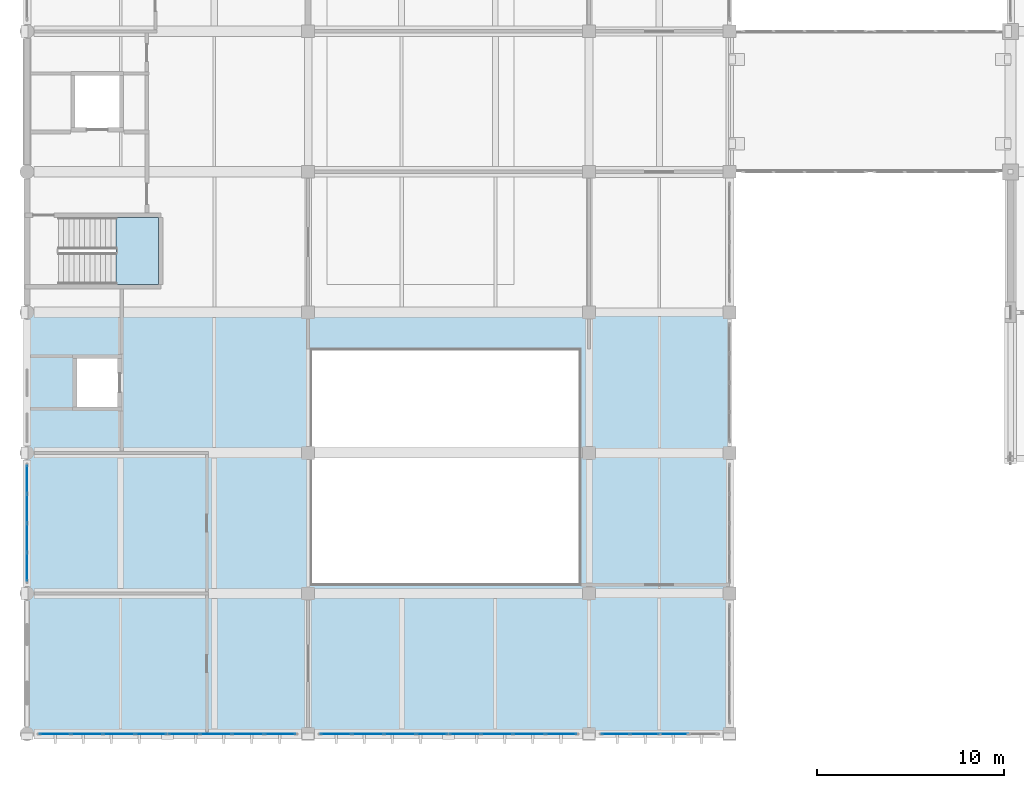
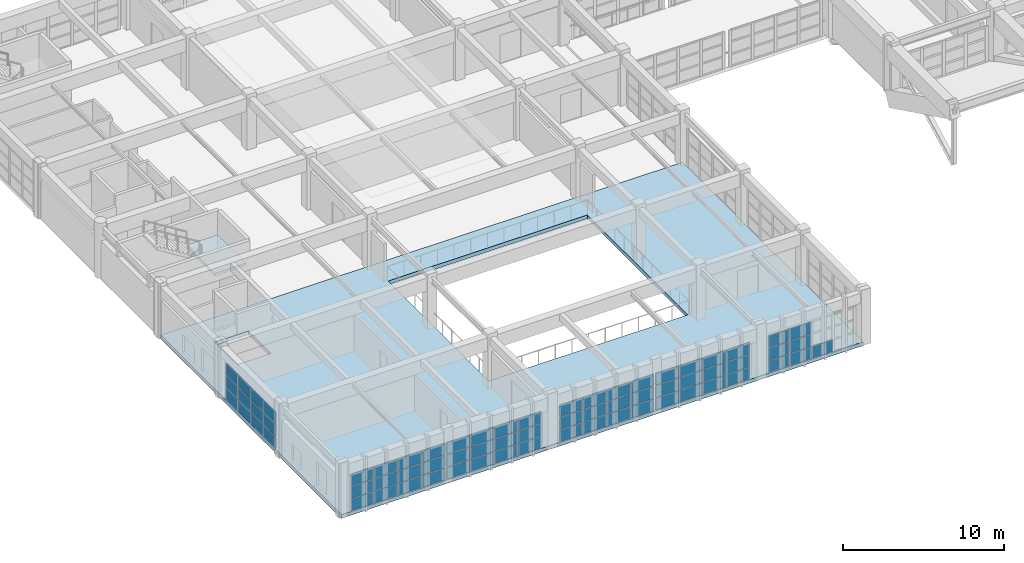
# One storey, part 81 of 132: 67 plates, 2 slabs, 7 elements without a shape of their own.
"""IFC4 building model written with IfcOpenShell, lengths in metres."""

from ifc_helpers import new_model, si_unit, direction, frame, origin, origin_2d, place, context, subcontext, project, spatial, polyline, rectangle, outline, extrude, material, layer, layer_set, type_object, element, aggregate, save


model = new_model("IFC4")

# Units and contexts
model_context = context("Model", 3, precision=1e-05, world=origin(), true_north=direction((0.0, 1.0)))
body_context = subcontext(model_context, "Body", "Model", "MODEL_VIEW")
ifc_project = project(units=[si_unit("LENGTHUNIT", "METRE"), si_unit("AREAUNIT", "SQUARE_METRE"), si_unit("VOLUMEUNIT", "CUBIC_METRE"), si_unit("PLANEANGLEUNIT", "RADIAN"), si_unit("MASSUNIT", "GRAM", prefix="KILO")], contexts=[model_context])

# Site, building, storey
site_placement = place(None, origin())
site = spatial("IfcSite", under=ifc_project, at=site_placement, CompositionType="ELEMENT")
building_placement = place(site_placement, origin())
building = spatial("IfcBuilding", under=site, at=building_placement, Name="Qasida Concert Hall", CompositionType="ELEMENT")
storey_placement = place(building_placement, frame((0.0, 0.0, 4.800048828125)))
storey = spatial("IfcBuildingStorey", under=building, at=storey_placement, Name="L01", CompositionType="ELEMENT", Elevation=4.800048828125)

# Curtain wall, plates
ifc_material_1 = material(Name="Architectural bronze-anodized aluminium and low-E glass", Category="aluminium")
curtain_wall_type = type_object("IfcCurtainWallType", Name="CW-07", PredefinedType="NOTDEFINED", material=ifc_material_1)
curtain_wall_1_placement = place(storey_placement, origin())
curtain_wall_1 = element("IfcCurtainWall", 1, at=curtain_wall_1_placement, inside=storey, type_object=curtain_wall_type, Name="L01 curtain wall CW-07 0081", PredefinedType="NOTDEFINED")
ifc_material_2 = material(Name="Solar-control low-E double glazing", Category="glass")
ifc_layer_1 = layer(ifc_material_2, 0.031982421875, Name="Solar-control low-E double glazing")
ifc_layer_set_1 = layer_set([ifc_layer_1], Name="Solar-control low-E double glazing")
plate_type = type_object("IfcPlateType", Name="PLT-CWP-2", PredefinedType="CURTAIN_PANEL", material=ifc_layer_set_1)
plate_1_placement = place(storey_placement, frame((1.4951171875, 0.0, 0.06005859375), z_axis=(0.0, 0.0, 1.0), x_axis=(1.0, 0.0, 0.0)))
plate_1 = element("IfcPlate", 2, at=plate_1_placement, type_object=plate_type, Name="CW-07 panel 1.1", PredefinedType="CURTAIN_PANEL", context=body_context, shape_type="SweptSolid", body=[
    extrude(rectangle(XDim=1.6201171875, YDim=0.031982421875, at=origin_2d()), origin(), (0.0, 0.0, 1.0), 0.873291015625),
])
plate_2_placement = place(storey_placement, frame((1.4951171875, 0.0, 0.993408203125), z_axis=(0.0, 0.0, 1.0), x_axis=(1.0, 0.0, 0.0)))
plate_2 = element("IfcPlate", 3, at=plate_2_placement, type_object=plate_type, Name="CW-07 panel 1.2", PredefinedType="CURTAIN_PANEL", context=body_context, shape_type="SweptSolid", body=[
    extrude(rectangle(XDim=1.6201171875, YDim=0.031982421875, at=origin_2d()), origin(), (0.0, 0.0, 1.0), 0.9033203125),
])
plate_3_placement = place(storey_placement, frame((1.4951171875, 0.0, 1.95654296875), z_axis=(0.0, 0.0, 1.0), x_axis=(1.0, 0.0, 0.0)))
plate_3 = element("IfcPlate", 4, at=plate_3_placement, type_object=plate_type, Name="CW-07 panel 1.3", PredefinedType="CURTAIN_PANEL", context=body_context, shape_type="SweptSolid", body=[
    extrude(rectangle(XDim=1.6201171875, YDim=0.031982421875, at=origin_2d()), origin(), (0.0, 0.0, 1.0), 0.873291015625),
])
plate_4_placement = place(storey_placement, frame((3.1962890625, 0.0, 0.06005859375), z_axis=(0.0, 0.0, 1.0), x_axis=(1.0, 0.0, 0.0)))
plate_4 = element("IfcPlate", 5, at=plate_4_placement, type_object=plate_type, Name="CW-07 panel 2.1", PredefinedType="CURTAIN_PANEL", context=body_context, shape_type="SweptSolid", body=[
    extrude(rectangle(XDim=1.652587890625, YDim=0.031982421875, at=origin_2d()), origin(), (0.0, 0.0, 1.0), 0.873291015625),
])
plate_5_placement = place(storey_placement, frame((3.1962890625, 0.0, 0.993408203125), z_axis=(0.0, 0.0, 1.0), x_axis=(1.0, 0.0, 0.0)))
plate_5 = element("IfcPlate", 6, at=plate_5_placement, type_object=plate_type, Name="CW-07 panel 2.2", PredefinedType="CURTAIN_PANEL", context=body_context, shape_type="SweptSolid", body=[
    extrude(rectangle(XDim=1.652587890625, YDim=0.031982421875, at=origin_2d()), origin(), (0.0, 0.0, 1.0), 0.9033203125),
])
plate_6_placement = place(storey_placement, frame((3.1962890625, 0.0, 1.95654296875), z_axis=(0.0, 0.0, 1.0), x_axis=(1.0, 0.0, 0.0)))
plate_6 = element("IfcPlate", 7, at=plate_6_placement, type_object=plate_type, Name="CW-07 panel 2.3", PredefinedType="CURTAIN_PANEL", context=body_context, shape_type="SweptSolid", body=[
    extrude(rectangle(XDim=1.652587890625, YDim=0.031982421875, at=origin_2d()), origin(), (0.0, 0.0, 1.0), 0.873291015625),
])
plate_7_placement = place(storey_placement, frame((4.913818359375, 0.0, 0.06005859375), z_axis=(0.0, 0.0, 1.0), x_axis=(1.0, 0.0, 0.0)))
plate_7 = element("IfcPlate", 8, at=plate_7_placement, type_object=plate_type, Name="CW-07 panel 3.1", PredefinedType="CURTAIN_PANEL", context=body_context, shape_type="SweptSolid", body=[
    extrude(rectangle(XDim=1.652587890625, YDim=0.031982421875, at=origin_2d()), origin(), (0.0, 0.0, 1.0), 0.873291015625),
])
plate_8_placement = place(storey_placement, frame((4.913818359375, 0.0, 0.993408203125), z_axis=(0.0, 0.0, 1.0), x_axis=(1.0, 0.0, 0.0)))
plate_8 = element("IfcPlate", 9, at=plate_8_placement, type_object=plate_type, Name="CW-07 panel 3.2", PredefinedType="CURTAIN_PANEL", context=body_context, shape_type="SweptSolid", body=[
    extrude(rectangle(XDim=1.652587890625, YDim=0.031982421875, at=origin_2d()), origin(), (0.0, 0.0, 1.0), 0.9033203125),
])
plate_9_placement = place(storey_placement, frame((4.913818359375, 0.0, 1.95654296875), z_axis=(0.0, 0.0, 1.0), x_axis=(1.0, 0.0, 0.0)))
plate_9 = element("IfcPlate", 10, at=plate_9_placement, type_object=plate_type, Name="CW-07 panel 3.3", PredefinedType="CURTAIN_PANEL", context=body_context, shape_type="SweptSolid", body=[
    extrude(rectangle(XDim=1.652587890625, YDim=0.031982421875, at=origin_2d()), origin(), (0.0, 0.0, 1.0), 0.873291015625),
])
plate_10_placement = place(storey_placement, frame((6.614990234375, 0.0, 0.06005859375), z_axis=(0.0, 0.0, 1.0), x_axis=(1.0, 0.0, 0.0)))
plate_10 = element("IfcPlate", 11, at=plate_10_placement, type_object=plate_type, Name="CW-07 panel 4.1", PredefinedType="CURTAIN_PANEL", context=body_context, shape_type="SweptSolid", body=[
    extrude(rectangle(XDim=1.6201171875, YDim=0.031982421875, at=origin_2d()), origin(), (0.0, 0.0, 1.0), 0.873291015625),
])
plate_11_placement = place(storey_placement, frame((6.614990234375, 0.0, 0.993408203125), z_axis=(0.0, 0.0, 1.0), x_axis=(1.0, 0.0, 0.0)))
plate_11 = element("IfcPlate", 12, at=plate_11_placement, type_object=plate_type, Name="CW-07 panel 4.2", PredefinedType="CURTAIN_PANEL", context=body_context, shape_type="SweptSolid", body=[
    extrude(rectangle(XDim=1.6201171875, YDim=0.031982421875, at=origin_2d()), origin(), (0.0, 0.0, 1.0), 0.9033203125),
])
plate_12_placement = place(storey_placement, frame((6.614990234375, 0.0, 1.95654296875), z_axis=(0.0, 0.0, 1.0), x_axis=(1.0, 0.0, 0.0)))
plate_12 = element("IfcPlate", 13, at=plate_12_placement, type_object=plate_type, Name="CW-07 panel 4.3", PredefinedType="CURTAIN_PANEL", context=body_context, shape_type="SweptSolid", body=[
    extrude(rectangle(XDim=1.6201171875, YDim=0.031982421875, at=origin_2d()), origin(), (0.0, 0.0, 1.0), 0.873291015625),
])
aggregate(curtain_wall_1, [plate_1, plate_2, plate_3, plate_4, plate_5, plate_6, plate_7, plate_8, plate_9, plate_10, plate_11, plate_12])

curtain_wall_2_placement = place(storey_placement, origin())
curtain_wall_2 = element("IfcCurtainWall", 14, at=curtain_wall_2_placement, inside=storey, type_object=curtain_wall_type, Name="L01 curtain wall CW-07 0083", PredefinedType="NOTDEFINED")
plate_13_placement = place(storey_placement, frame((8.385009765625, 0.0, 0.06005859375), z_axis=(0.0, 0.0, 1.0), x_axis=(1.0, 0.0, 0.0)))
plate_13 = element("IfcPlate", 15, at=plate_13_placement, type_object=plate_type, Name="CW-07 panel 1.1", PredefinedType="CURTAIN_PANEL", context=body_context, shape_type="SweptSolid", body=[
    extrude(rectangle(XDim=1.6201171875, YDim=0.031982421875, at=origin_2d()), origin(), (0.0, 0.0, 1.0), 0.873291015625),
])
plate_14_placement = place(storey_placement, frame((8.385009765625, 0.0, 0.993408203125), z_axis=(0.0, 0.0, 1.0), x_axis=(1.0, 0.0, 0.0)))
plate_14 = element("IfcPlate", 16, at=plate_14_placement, type_object=plate_type, Name="CW-07 panel 1.2", PredefinedType="CURTAIN_PANEL", context=body_context, shape_type="SweptSolid", body=[
    extrude(rectangle(XDim=1.6201171875, YDim=0.031982421875, at=origin_2d()), origin(), (0.0, 0.0, 1.0), 0.9033203125),
])
plate_15_placement = place(storey_placement, frame((8.385009765625, 0.0, 1.95654296875), z_axis=(0.0, 0.0, 1.0), x_axis=(1.0, 0.0, 0.0)))
plate_15 = element("IfcPlate", 17, at=plate_15_placement, type_object=plate_type, Name="CW-07 panel 1.3", PredefinedType="CURTAIN_PANEL", context=body_context, shape_type="SweptSolid", body=[
    extrude(rectangle(XDim=1.6201171875, YDim=0.031982421875, at=origin_2d()), origin(), (0.0, 0.0, 1.0), 0.873291015625),
])
plate_16_placement = place(storey_placement, frame((10.086181640625, 0.0, 0.06005859375), z_axis=(0.0, 0.0, 1.0), x_axis=(1.0, 0.0, 0.0)))
plate_16 = element("IfcPlate", 18, at=plate_16_placement, type_object=plate_type, Name="CW-07 panel 2.1", PredefinedType="CURTAIN_PANEL", context=body_context, shape_type="SweptSolid", body=[
    extrude(rectangle(XDim=1.652587890625, YDim=0.031982421875, at=origin_2d()), origin(), (0.0, 0.0, 1.0), 0.873291015625),
])
plate_17_placement = place(storey_placement, frame((10.086181640625, 0.0, 0.993408203125), z_axis=(0.0, 0.0, 1.0), x_axis=(1.0, 0.0, 0.0)))
plate_17 = element("IfcPlate", 19, at=plate_17_placement, type_object=plate_type, Name="CW-07 panel 2.2", PredefinedType="CURTAIN_PANEL", context=body_context, shape_type="SweptSolid", body=[
    extrude(rectangle(XDim=1.652587890625, YDim=0.031982421875, at=origin_2d()), origin(), (0.0, 0.0, 1.0), 0.9033203125),
])
plate_18_placement = place(storey_placement, frame((10.086181640625, 0.0, 1.95654296875), z_axis=(0.0, 0.0, 1.0), x_axis=(1.0, 0.0, 0.0)))
plate_18 = element("IfcPlate", 20, at=plate_18_placement, type_object=plate_type, Name="CW-07 panel 2.3", PredefinedType="CURTAIN_PANEL", context=body_context, shape_type="SweptSolid", body=[
    extrude(rectangle(XDim=1.652587890625, YDim=0.031982421875, at=origin_2d()), origin(), (0.0, 0.0, 1.0), 0.873291015625),
])
plate_19_placement = place(storey_placement, frame((11.8037109375, 0.0, 0.06005859375), z_axis=(0.0, 0.0, 1.0), x_axis=(1.0, 0.0, 0.0)))
plate_19 = element("IfcPlate", 21, at=plate_19_placement, type_object=plate_type, Name="CW-07 panel 3.1", PredefinedType="CURTAIN_PANEL", context=body_context, shape_type="SweptSolid", body=[
    extrude(rectangle(XDim=1.652587890625, YDim=0.031982421875, at=origin_2d()), origin(), (0.0, 0.0, 1.0), 0.873291015625),
])
plate_20_placement = place(storey_placement, frame((11.8037109375, 0.0, 0.993408203125), z_axis=(0.0, 0.0, 1.0), x_axis=(1.0, 0.0, 0.0)))
plate_20 = element("IfcPlate", 22, at=plate_20_placement, type_object=plate_type, Name="CW-07 panel 3.2", PredefinedType="CURTAIN_PANEL", context=body_context, shape_type="SweptSolid", body=[
    extrude(rectangle(XDim=1.652587890625, YDim=0.031982421875, at=origin_2d()), origin(), (0.0, 0.0, 1.0), 0.9033203125),
])
plate_21_placement = place(storey_placement, frame((11.8037109375, 0.0, 1.95654296875), z_axis=(0.0, 0.0, 1.0), x_axis=(1.0, 0.0, 0.0)))
plate_21 = element("IfcPlate", 23, at=plate_21_placement, type_object=plate_type, Name="CW-07 panel 3.3", PredefinedType="CURTAIN_PANEL", context=body_context, shape_type="SweptSolid", body=[
    extrude(rectangle(XDim=1.652587890625, YDim=0.031982421875, at=origin_2d()), origin(), (0.0, 0.0, 1.0), 0.873291015625),
])
plate_22_placement = place(storey_placement, frame((13.5048828125, 0.0, 0.06005859375), z_axis=(0.0, 0.0, 1.0), x_axis=(1.0, 0.0, 0.0)))
plate_22 = element("IfcPlate", 24, at=plate_22_placement, type_object=plate_type, Name="CW-07 panel 4.1", PredefinedType="CURTAIN_PANEL", context=body_context, shape_type="SweptSolid", body=[
    extrude(rectangle(XDim=1.6201171875, YDim=0.031982421875, at=origin_2d()), origin(), (0.0, 0.0, 1.0), 0.873291015625),
])
plate_23_placement = place(storey_placement, frame((13.5048828125, 0.0, 0.993408203125), z_axis=(0.0, 0.0, 1.0), x_axis=(1.0, 0.0, 0.0)))
plate_23 = element("IfcPlate", 25, at=plate_23_placement, type_object=plate_type, Name="CW-07 panel 4.2", PredefinedType="CURTAIN_PANEL", context=body_context, shape_type="SweptSolid", body=[
    extrude(rectangle(XDim=1.6201171875, YDim=0.031982421875, at=origin_2d()), origin(), (0.0, 0.0, 1.0), 0.9033203125),
])
plate_24_placement = place(storey_placement, frame((13.5048828125, 0.0, 1.95654296875), z_axis=(0.0, 0.0, 1.0), x_axis=(1.0, 0.0, 0.0)))
plate_24 = element("IfcPlate", 26, at=plate_24_placement, type_object=plate_type, Name="CW-07 panel 4.3", PredefinedType="CURTAIN_PANEL", context=body_context, shape_type="SweptSolid", body=[
    extrude(rectangle(XDim=1.6201171875, YDim=0.031982421875, at=origin_2d()), origin(), (0.0, 0.0, 1.0), 0.873291015625),
])
aggregate(curtain_wall_2, [plate_13, plate_14, plate_15, plate_16, plate_17, plate_18, plate_19, plate_20, plate_21, plate_22, plate_23, plate_24])

curtain_wall_3_placement = place(storey_placement, origin())
curtain_wall_3 = element("IfcCurtainWall", 27, at=curtain_wall_3_placement, inside=storey, type_object=curtain_wall_type, Name="L01 curtain wall CW-07 0085", PredefinedType="NOTDEFINED")
plate_25_placement = place(storey_placement, frame((16.4951171875, 0.0, 0.06005859375), z_axis=(0.0, 0.0, 1.0), x_axis=(1.0, 0.0, 0.0)))
plate_25 = element("IfcPlate", 28, at=plate_25_placement, type_object=plate_type, Name="CW-07 panel 1.1", PredefinedType="CURTAIN_PANEL", context=body_context, shape_type="SweptSolid", body=[
    extrude(rectangle(XDim=1.6201171875, YDim=0.031982421875, at=origin_2d()), origin(), (0.0, 0.0, 1.0), 0.873291015625),
])
plate_26_placement = place(storey_placement, frame((16.4951171875, 0.0, 0.993408203125), z_axis=(0.0, 0.0, 1.0), x_axis=(1.0, 0.0, 0.0)))
plate_26 = element("IfcPlate", 29, at=plate_26_placement, type_object=plate_type, Name="CW-07 panel 1.2", PredefinedType="CURTAIN_PANEL", context=body_context, shape_type="SweptSolid", body=[
    extrude(rectangle(XDim=1.6201171875, YDim=0.031982421875, at=origin_2d()), origin(), (0.0, 0.0, 1.0), 0.9033203125),
])
plate_27_placement = place(storey_placement, frame((16.4951171875, 0.0, 1.95654296875), z_axis=(0.0, 0.0, 1.0), x_axis=(1.0, 0.0, 0.0)))
plate_27 = element("IfcPlate", 30, at=plate_27_placement, type_object=plate_type, Name="CW-07 panel 1.3", PredefinedType="CURTAIN_PANEL", context=body_context, shape_type="SweptSolid", body=[
    extrude(rectangle(XDim=1.6201171875, YDim=0.031982421875, at=origin_2d()), origin(), (0.0, 0.0, 1.0), 0.873291015625),
])
plate_28_placement = place(storey_placement, frame((18.1962890625, 0.0, 0.06005859375), z_axis=(0.0, 0.0, 1.0), x_axis=(1.0, 0.0, 0.0)))
plate_28 = element("IfcPlate", 31, at=plate_28_placement, type_object=plate_type, Name="CW-07 panel 2.1", PredefinedType="CURTAIN_PANEL", context=body_context, shape_type="SweptSolid", body=[
    extrude(rectangle(XDim=1.652587890625, YDim=0.031982421875, at=origin_2d()), origin(), (0.0, 0.0, 1.0), 0.873291015625),
])
plate_29_placement = place(storey_placement, frame((18.1962890625, 0.0, 0.993408203125), z_axis=(0.0, 0.0, 1.0), x_axis=(1.0, 0.0, 0.0)))
plate_29 = element("IfcPlate", 32, at=plate_29_placement, type_object=plate_type, Name="CW-07 panel 2.2", PredefinedType="CURTAIN_PANEL", context=body_context, shape_type="SweptSolid", body=[
    extrude(rectangle(XDim=1.652587890625, YDim=0.031982421875, at=origin_2d()), origin(), (0.0, 0.0, 1.0), 0.9033203125),
])
plate_30_placement = place(storey_placement, frame((18.1962890625, 0.0, 1.95654296875), z_axis=(0.0, 0.0, 1.0), x_axis=(1.0, 0.0, 0.0)))
plate_30 = element("IfcPlate", 33, at=plate_30_placement, type_object=plate_type, Name="CW-07 panel 2.3", PredefinedType="CURTAIN_PANEL", context=body_context, shape_type="SweptSolid", body=[
    extrude(rectangle(XDim=1.652587890625, YDim=0.031982421875, at=origin_2d()), origin(), (0.0, 0.0, 1.0), 0.873291015625),
])
plate_31_placement = place(storey_placement, frame((19.913818359375, 0.0, 0.06005859375), z_axis=(0.0, 0.0, 1.0), x_axis=(1.0, 0.0, 0.0)))
plate_31 = element("IfcPlate", 34, at=plate_31_placement, type_object=plate_type, Name="CW-07 panel 3.1", PredefinedType="CURTAIN_PANEL", context=body_context, shape_type="SweptSolid", body=[
    extrude(rectangle(XDim=1.652587890625, YDim=0.031982421875, at=origin_2d()), origin(), (0.0, 0.0, 1.0), 0.873291015625),
])
plate_32_placement = place(storey_placement, frame((19.913818359375, 0.0, 0.993408203125), z_axis=(0.0, 0.0, 1.0), x_axis=(1.0, 0.0, 0.0)))
plate_32 = element("IfcPlate", 35, at=plate_32_placement, type_object=plate_type, Name="CW-07 panel 3.2", PredefinedType="CURTAIN_PANEL", context=body_context, shape_type="SweptSolid", body=[
    extrude(rectangle(XDim=1.652587890625, YDim=0.031982421875, at=origin_2d()), origin(), (0.0, 0.0, 1.0), 0.9033203125),
])
plate_33_placement = place(storey_placement, frame((19.913818359375, 0.0, 1.95654296875), z_axis=(0.0, 0.0, 1.0), x_axis=(1.0, 0.0, 0.0)))
plate_33 = element("IfcPlate", 36, at=plate_33_placement, type_object=plate_type, Name="CW-07 panel 3.3", PredefinedType="CURTAIN_PANEL", context=body_context, shape_type="SweptSolid", body=[
    extrude(rectangle(XDim=1.652587890625, YDim=0.031982421875, at=origin_2d()), origin(), (0.0, 0.0, 1.0), 0.873291015625),
])
plate_34_placement = place(storey_placement, frame((21.614990234375, 0.0, 0.06005859375), z_axis=(0.0, 0.0, 1.0), x_axis=(1.0, 0.0, 0.0)))
plate_34 = element("IfcPlate", 37, at=plate_34_placement, type_object=plate_type, Name="CW-07 panel 4.1", PredefinedType="CURTAIN_PANEL", context=body_context, shape_type="SweptSolid", body=[
    extrude(rectangle(XDim=1.6201171875, YDim=0.031982421875, at=origin_2d()), origin(), (0.0, 0.0, 1.0), 0.873291015625),
])
plate_35_placement = place(storey_placement, frame((21.614990234375, 0.0, 0.993408203125), z_axis=(0.0, 0.0, 1.0), x_axis=(1.0, 0.0, 0.0)))
plate_35 = element("IfcPlate", 38, at=plate_35_placement, type_object=plate_type, Name="CW-07 panel 4.2", PredefinedType="CURTAIN_PANEL", context=body_context, shape_type="SweptSolid", body=[
    extrude(rectangle(XDim=1.6201171875, YDim=0.031982421875, at=origin_2d()), origin(), (0.0, 0.0, 1.0), 0.9033203125),
])
plate_36_placement = place(storey_placement, frame((21.614990234375, 0.0, 1.95654296875), z_axis=(0.0, 0.0, 1.0), x_axis=(1.0, 0.0, 0.0)))
plate_36 = element("IfcPlate", 39, at=plate_36_placement, type_object=plate_type, Name="CW-07 panel 4.3", PredefinedType="CURTAIN_PANEL", context=body_context, shape_type="SweptSolid", body=[
    extrude(rectangle(XDim=1.6201171875, YDim=0.031982421875, at=origin_2d()), origin(), (0.0, 0.0, 1.0), 0.873291015625),
])
aggregate(curtain_wall_3, [plate_25, plate_26, plate_27, plate_28, plate_29, plate_30, plate_31, plate_32, plate_33, plate_34, plate_35, plate_36])

curtain_wall_4_placement = place(storey_placement, origin())
curtain_wall_4 = element("IfcCurtainWall", 40, at=curtain_wall_4_placement, inside=storey, type_object=curtain_wall_type, Name="L01 curtain wall CW-07 0087", PredefinedType="NOTDEFINED")
plate_37_placement = place(storey_placement, frame((23.385009765625, 0.0, 0.06005859375), z_axis=(0.0, 0.0, 1.0), x_axis=(1.0, 0.0, 0.0)))
plate_37 = element("IfcPlate", 41, at=plate_37_placement, type_object=plate_type, Name="CW-07 panel 1.1", PredefinedType="CURTAIN_PANEL", context=body_context, shape_type="SweptSolid", body=[
    extrude(rectangle(XDim=1.6201171875, YDim=0.031982421875, at=origin_2d()), origin(), (0.0, 0.0, 1.0), 0.873291015625),
])
plate_38_placement = place(storey_placement, frame((23.385009765625, 0.0, 0.993408203125), z_axis=(0.0, 0.0, 1.0), x_axis=(1.0, 0.0, 0.0)))
plate_38 = element("IfcPlate", 42, at=plate_38_placement, type_object=plate_type, Name="CW-07 panel 1.2", PredefinedType="CURTAIN_PANEL", context=body_context, shape_type="SweptSolid", body=[
    extrude(rectangle(XDim=1.6201171875, YDim=0.031982421875, at=origin_2d()), origin(), (0.0, 0.0, 1.0), 0.9033203125),
])
plate_39_placement = place(storey_placement, frame((23.385009765625, 0.0, 1.95654296875), z_axis=(0.0, 0.0, 1.0), x_axis=(1.0, 0.0, 0.0)))
plate_39 = element("IfcPlate", 43, at=plate_39_placement, type_object=plate_type, Name="CW-07 panel 1.3", PredefinedType="CURTAIN_PANEL", context=body_context, shape_type="SweptSolid", body=[
    extrude(rectangle(XDim=1.6201171875, YDim=0.031982421875, at=origin_2d()), origin(), (0.0, 0.0, 1.0), 0.873291015625),
])
plate_40_placement = place(storey_placement, frame((25.086181640625, 0.0, 0.06005859375), z_axis=(0.0, 0.0, 1.0), x_axis=(1.0, 0.0, 0.0)))
plate_40 = element("IfcPlate", 44, at=plate_40_placement, type_object=plate_type, Name="CW-07 panel 2.1", PredefinedType="CURTAIN_PANEL", context=body_context, shape_type="SweptSolid", body=[
    extrude(rectangle(XDim=1.652587890625, YDim=0.031982421875, at=origin_2d()), origin(), (0.0, 0.0, 1.0), 0.873291015625),
])
plate_41_placement = place(storey_placement, frame((25.086181640625, 0.0, 0.993408203125), z_axis=(0.0, 0.0, 1.0), x_axis=(1.0, 0.0, 0.0)))
plate_41 = element("IfcPlate", 45, at=plate_41_placement, type_object=plate_type, Name="CW-07 panel 2.2", PredefinedType="CURTAIN_PANEL", context=body_context, shape_type="SweptSolid", body=[
    extrude(rectangle(XDim=1.652587890625, YDim=0.031982421875, at=origin_2d()), origin(), (0.0, 0.0, 1.0), 0.9033203125),
])
plate_42_placement = place(storey_placement, frame((25.086181640625, 0.0, 1.95654296875), z_axis=(0.0, 0.0, 1.0), x_axis=(1.0, 0.0, 0.0)))
plate_42 = element("IfcPlate", 46, at=plate_42_placement, type_object=plate_type, Name="CW-07 panel 2.3", PredefinedType="CURTAIN_PANEL", context=body_context, shape_type="SweptSolid", body=[
    extrude(rectangle(XDim=1.652587890625, YDim=0.031982421875, at=origin_2d()), origin(), (0.0, 0.0, 1.0), 0.873291015625),
])
plate_43_placement = place(storey_placement, frame((26.8037109375, 0.0, 0.06005859375), z_axis=(0.0, 0.0, 1.0), x_axis=(1.0, 0.0, 0.0)))
plate_43 = element("IfcPlate", 47, at=plate_43_placement, type_object=plate_type, Name="CW-07 panel 3.1", PredefinedType="CURTAIN_PANEL", context=body_context, shape_type="SweptSolid", body=[
    extrude(rectangle(XDim=1.652587890625, YDim=0.031982421875, at=origin_2d()), origin(), (0.0, 0.0, 1.0), 0.873291015625),
])
plate_44_placement = place(storey_placement, frame((26.8037109375, 0.0, 0.993408203125), z_axis=(0.0, 0.0, 1.0), x_axis=(1.0, 0.0, 0.0)))
plate_44 = element("IfcPlate", 48, at=plate_44_placement, type_object=plate_type, Name="CW-07 panel 3.2", PredefinedType="CURTAIN_PANEL", context=body_context, shape_type="SweptSolid", body=[
    extrude(rectangle(XDim=1.652587890625, YDim=0.031982421875, at=origin_2d()), origin(), (0.0, 0.0, 1.0), 0.9033203125),
])
plate_45_placement = place(storey_placement, frame((26.8037109375, 0.0, 1.95654296875), z_axis=(0.0, 0.0, 1.0), x_axis=(1.0, 0.0, 0.0)))
plate_45 = element("IfcPlate", 49, at=plate_45_placement, type_object=plate_type, Name="CW-07 panel 3.3", PredefinedType="CURTAIN_PANEL", context=body_context, shape_type="SweptSolid", body=[
    extrude(rectangle(XDim=1.652587890625, YDim=0.031982421875, at=origin_2d()), origin(), (0.0, 0.0, 1.0), 0.873291015625),
])
plate_46_placement = place(storey_placement, frame((28.5048828125, 0.0, 0.06005859375), z_axis=(0.0, 0.0, 1.0), x_axis=(1.0, 0.0, 0.0)))
plate_46 = element("IfcPlate", 50, at=plate_46_placement, type_object=plate_type, Name="CW-07 panel 4.1", PredefinedType="CURTAIN_PANEL", context=body_context, shape_type="SweptSolid", body=[
    extrude(rectangle(XDim=1.6201171875, YDim=0.031982421875, at=origin_2d()), origin(), (0.0, 0.0, 1.0), 0.873291015625),
])
plate_47_placement = place(storey_placement, frame((28.5048828125, 0.0, 0.993408203125), z_axis=(0.0, 0.0, 1.0), x_axis=(1.0, 0.0, 0.0)))
plate_47 = element("IfcPlate", 51, at=plate_47_placement, type_object=plate_type, Name="CW-07 panel 4.2", PredefinedType="CURTAIN_PANEL", context=body_context, shape_type="SweptSolid", body=[
    extrude(rectangle(XDim=1.6201171875, YDim=0.031982421875, at=origin_2d()), origin(), (0.0, 0.0, 1.0), 0.9033203125),
])
plate_48_placement = place(storey_placement, frame((28.5048828125, 0.0, 1.95654296875), z_axis=(0.0, 0.0, 1.0), x_axis=(1.0, 0.0, 0.0)))
plate_48 = element("IfcPlate", 52, at=plate_48_placement, type_object=plate_type, Name="CW-07 panel 4.3", PredefinedType="CURTAIN_PANEL", context=body_context, shape_type="SweptSolid", body=[
    extrude(rectangle(XDim=1.6201171875, YDim=0.031982421875, at=origin_2d()), origin(), (0.0, 0.0, 1.0), 0.873291015625),
])
aggregate(curtain_wall_4, [plate_37, plate_38, plate_39, plate_40, plate_41, plate_42, plate_43, plate_44, plate_45, plate_46, plate_47, plate_48])

curtain_wall_5_placement = place(storey_placement, origin())
curtain_wall_5 = element("IfcCurtainWall", 53, at=curtain_wall_5_placement, inside=storey, type_object=curtain_wall_type, Name="L01 curtain wall CW-07 0089", PredefinedType="NOTDEFINED")
plate_49_placement = place(storey_placement, frame((31.418701171875, 0.0, 0.06005859375), z_axis=(0.0, 0.0, 1.0), x_axis=(1.0, 0.0, 0.0)))
plate_49 = element("IfcPlate", 54, at=plate_49_placement, type_object=plate_type, Name="CW-07 panel 1.1", PredefinedType="CURTAIN_PANEL", context=body_context, shape_type="SweptSolid", body=[
    extrude(rectangle(XDim=1.467529296875, YDim=0.031982421875, at=origin_2d()), origin(), (0.0, 0.0, 1.0), 0.873291015625),
])
plate_50_placement = place(storey_placement, frame((31.418701171875, 0.0, 0.993408203125), z_axis=(0.0, 0.0, 1.0), x_axis=(1.0, 0.0, 0.0)))
plate_50 = element("IfcPlate", 55, at=plate_50_placement, type_object=plate_type, Name="CW-07 panel 1.2", PredefinedType="CURTAIN_PANEL", context=body_context, shape_type="SweptSolid", body=[
    extrude(rectangle(XDim=1.467529296875, YDim=0.031982421875, at=origin_2d()), origin(), (0.0, 0.0, 1.0), 0.9033203125),
])
plate_51_placement = place(storey_placement, frame((31.418701171875, 0.0, 1.95654296875), z_axis=(0.0, 0.0, 1.0), x_axis=(1.0, 0.0, 0.0)))
plate_51 = element("IfcPlate", 56, at=plate_51_placement, type_object=plate_type, Name="CW-07 panel 1.3", PredefinedType="CURTAIN_PANEL", context=body_context, shape_type="SweptSolid", body=[
    extrude(rectangle(XDim=1.467529296875, YDim=0.031982421875, at=origin_2d()), origin(), (0.0, 0.0, 1.0), 0.873291015625),
])
plate_52_placement = place(storey_placement, frame((32.967529296875, 0.0, 0.06005859375), z_axis=(0.0, 0.0, 1.0), x_axis=(1.0, 0.0, 0.0)))
plate_52 = element("IfcPlate", 57, at=plate_52_placement, type_object=plate_type, Name="CW-07 panel 2.1", PredefinedType="CURTAIN_PANEL", context=body_context, shape_type="SweptSolid", body=[
    extrude(rectangle(XDim=1.5, YDim=0.031982421875, at=origin_2d()), origin(), (0.0, 0.0, 1.0), 0.873291015625),
])
plate_53_placement = place(storey_placement, frame((32.967529296875, 0.0, 0.993408203125), z_axis=(0.0, 0.0, 1.0), x_axis=(1.0, 0.0, 0.0)))
plate_53 = element("IfcPlate", 58, at=plate_53_placement, type_object=plate_type, Name="CW-07 panel 2.2", PredefinedType="CURTAIN_PANEL", context=body_context, shape_type="SweptSolid", body=[
    extrude(rectangle(XDim=1.5, YDim=0.031982421875, at=origin_2d()), origin(), (0.0, 0.0, 1.0), 0.9033203125),
])
plate_54_placement = place(storey_placement, frame((32.967529296875, 0.0, 1.95654296875), z_axis=(0.0, 0.0, 1.0), x_axis=(1.0, 0.0, 0.0)))
plate_54 = element("IfcPlate", 59, at=plate_54_placement, type_object=plate_type, Name="CW-07 panel 2.3", PredefinedType="CURTAIN_PANEL", context=body_context, shape_type="SweptSolid", body=[
    extrude(rectangle(XDim=1.5, YDim=0.031982421875, at=origin_2d()), origin(), (0.0, 0.0, 1.0), 0.873291015625),
])
plate_55_placement = place(storey_placement, frame((34.532470703125, 0.0, 0.06005859375), z_axis=(0.0, 0.0, 1.0), x_axis=(1.0, 0.0, 0.0)))
plate_55 = element("IfcPlate", 60, at=plate_55_placement, type_object=plate_type, Name="CW-07 panel 3.1", PredefinedType="CURTAIN_PANEL", context=body_context, shape_type="SweptSolid", body=[
    extrude(rectangle(XDim=1.5, YDim=0.031982421875, at=origin_2d()), origin(), (0.0, 0.0, 1.0), 0.873291015625),
])
aggregate(curtain_wall_5, [plate_49, plate_50, plate_51, plate_52, plate_53, plate_54, plate_55])

curtain_wall_6_placement = place(storey_placement, origin())
curtain_wall_6 = element("IfcCurtainWall", 61, at=curtain_wall_6_placement, inside=storey, type_object=curtain_wall_type, Name="L01 curtain wall CW-07 0092", PredefinedType="NOTDEFINED")
plate_56_placement = place(storey_placement, frame((0.0, 8.918701171875, 0.06005859375), z_axis=(0.0, 0.0, 1.0), x_axis=(0.0, 1.0, 0.0)))
plate_56 = element("IfcPlate", 62, at=plate_56_placement, type_object=plate_type, Name="CW-07 panel 1.1", PredefinedType="CURTAIN_PANEL", context=body_context, shape_type="SweptSolid", body=[
    extrude(rectangle(XDim=1.467529296875, YDim=0.031982421875, at=origin_2d()), origin(), (0.0, 0.0, 1.0), 0.873291015625),
])
plate_57_placement = place(storey_placement, frame((0.0, 8.918701171875, 0.993408203125), z_axis=(0.0, 0.0, 1.0), x_axis=(0.0, 1.0, 0.0)))
plate_57 = element("IfcPlate", 63, at=plate_57_placement, type_object=plate_type, Name="CW-07 panel 1.2", PredefinedType="CURTAIN_PANEL", context=body_context, shape_type="SweptSolid", body=[
    extrude(rectangle(XDim=1.467529296875, YDim=0.031982421875, at=origin_2d()), origin(), (0.0, 0.0, 1.0), 0.9033203125),
])
plate_58_placement = place(storey_placement, frame((0.0, 8.918701171875, 1.95654296875), z_axis=(0.0, 0.0, 1.0), x_axis=(0.0, 1.0, 0.0)))
plate_58 = element("IfcPlate", 64, at=plate_58_placement, type_object=plate_type, Name="CW-07 panel 1.3", PredefinedType="CURTAIN_PANEL", context=body_context, shape_type="SweptSolid", body=[
    extrude(rectangle(XDim=1.467529296875, YDim=0.031982421875, at=origin_2d()), origin(), (0.0, 0.0, 1.0), 0.873291015625),
])
plate_59_placement = place(storey_placement, frame((0.0, 10.467529296875, 0.06005859375), z_axis=(0.0, 0.0, 1.0), x_axis=(0.0, 1.0, 0.0)))
plate_59 = element("IfcPlate", 65, at=plate_59_placement, type_object=plate_type, Name="CW-07 panel 2.1", PredefinedType="CURTAIN_PANEL", context=body_context, shape_type="SweptSolid", body=[
    extrude(rectangle(XDim=1.5, YDim=0.031982421875, at=origin_2d()), origin(), (0.0, 0.0, 1.0), 0.873291015625),
])
plate_60_placement = place(storey_placement, frame((0.0, 10.467529296875, 0.993408203125), z_axis=(0.0, 0.0, 1.0), x_axis=(0.0, 1.0, 0.0)))
plate_60 = element("IfcPlate", 66, at=plate_60_placement, type_object=plate_type, Name="CW-07 panel 2.2", PredefinedType="CURTAIN_PANEL", context=body_context, shape_type="SweptSolid", body=[
    extrude(rectangle(XDim=1.5, YDim=0.031982421875, at=origin_2d()), origin(), (0.0, 0.0, 1.0), 0.9033203125),
])
plate_61_placement = place(storey_placement, frame((0.0, 10.467529296875, 1.95654296875), z_axis=(0.0, 0.0, 1.0), x_axis=(0.0, 1.0, 0.0)))
plate_61 = element("IfcPlate", 67, at=plate_61_placement, type_object=plate_type, Name="CW-07 panel 2.3", PredefinedType="CURTAIN_PANEL", context=body_context, shape_type="SweptSolid", body=[
    extrude(rectangle(XDim=1.5, YDim=0.031982421875, at=origin_2d()), origin(), (0.0, 0.0, 1.0), 0.873291015625),
])
plate_62_placement = place(storey_placement, frame((0.0, 12.032470703125, 0.06005859375), z_axis=(0.0, 0.0, 1.0), x_axis=(0.0, 1.0, 0.0)))
plate_62 = element("IfcPlate", 68, at=plate_62_placement, type_object=plate_type, Name="CW-07 panel 3.1", PredefinedType="CURTAIN_PANEL", context=body_context, shape_type="SweptSolid", body=[
    extrude(rectangle(XDim=1.5, YDim=0.031982421875, at=origin_2d()), origin(), (0.0, 0.0, 1.0), 0.873291015625),
])
plate_63_placement = place(storey_placement, frame((0.0, 12.032470703125, 0.993408203125), z_axis=(0.0, 0.0, 1.0), x_axis=(0.0, 1.0, 0.0)))
plate_63 = element("IfcPlate", 69, at=plate_63_placement, type_object=plate_type, Name="CW-07 panel 3.2", PredefinedType="CURTAIN_PANEL", context=body_context, shape_type="SweptSolid", body=[
    extrude(rectangle(XDim=1.5, YDim=0.031982421875, at=origin_2d()), origin(), (0.0, 0.0, 1.0), 0.9033203125),
])
plate_64_placement = place(storey_placement, frame((0.0, 12.032470703125, 1.95654296875), z_axis=(0.0, 0.0, 1.0), x_axis=(0.0, 1.0, 0.0)))
plate_64 = element("IfcPlate", 70, at=plate_64_placement, type_object=plate_type, Name="CW-07 panel 3.3", PredefinedType="CURTAIN_PANEL", context=body_context, shape_type="SweptSolid", body=[
    extrude(rectangle(XDim=1.5, YDim=0.031982421875, at=origin_2d()), origin(), (0.0, 0.0, 1.0), 0.873291015625),
])
plate_65_placement = place(storey_placement, frame((0.0, 13.581298828125, 0.06005859375), z_axis=(0.0, 0.0, 1.0), x_axis=(0.0, 1.0, 0.0)))
plate_65 = element("IfcPlate", 71, at=plate_65_placement, type_object=plate_type, Name="CW-07 panel 4.1", PredefinedType="CURTAIN_PANEL", context=body_context, shape_type="SweptSolid", body=[
    extrude(rectangle(XDim=1.467529296875, YDim=0.031982421875, at=origin_2d()), origin(), (0.0, 0.0, 1.0), 0.873291015625),
])
plate_66_placement = place(storey_placement, frame((0.0, 13.581298828125, 0.993408203125), z_axis=(0.0, 0.0, 1.0), x_axis=(0.0, 1.0, 0.0)))
plate_66 = element("IfcPlate", 72, at=plate_66_placement, type_object=plate_type, Name="CW-07 panel 4.2", PredefinedType="CURTAIN_PANEL", context=body_context, shape_type="SweptSolid", body=[
    extrude(rectangle(XDim=1.467529296875, YDim=0.031982421875, at=origin_2d()), origin(), (0.0, 0.0, 1.0), 0.9033203125),
])
plate_67_placement = place(storey_placement, frame((0.0, 13.581298828125, 1.95654296875), z_axis=(0.0, 0.0, 1.0), x_axis=(0.0, 1.0, 0.0)))
plate_67 = element("IfcPlate", 73, at=plate_67_placement, type_object=plate_type, Name="CW-07 panel 4.3", PredefinedType="CURTAIN_PANEL", context=body_context, shape_type="SweptSolid", body=[
    extrude(rectangle(XDim=1.467529296875, YDim=0.031982421875, at=origin_2d()), origin(), (0.0, 0.0, 1.0), 0.873291015625),
])
aggregate(curtain_wall_6, [plate_56, plate_57, plate_58, plate_59, plate_60, plate_61, plate_62, plate_63, plate_64, plate_65, plate_66, plate_67])

# Slab
ifc_material_3 = material(Name="Concrete C40/50", Category="concrete")
ifc_layer_2 = layer(ifc_material_3, 0.280029296875, Name="Concrete C40/50")
ifc_layer_set_2 = layer_set([ifc_layer_2], Name="Concrete C40/50")
slab_type_1 = type_object("IfcSlabType", Name="SL-FS-280", PredefinedType="FLOOR", material=ifc_layer_set_2)
slab_1_placement = place(storey_placement, frame((0.0, 0.0, -0.280029296875)))
element("IfcSlab", 74, at=slab_1_placement, inside=storey, type_object=slab_type_1, Name="V3 promenade south (FS-280)", PredefinedType="FLOOR", context=body_context, shape_type="SweptSolid", body=[
    extrude(outline(polyline([(0.0, 0.0), (37.5, 0.0), (37.5, 22.5), (0.0, 22.5), (0.0, 0.0)]), holes=[polyline([(15.199951171875, 8.0), (29.5, 8.0), (29.5, 20.5), (15.199951171875, 20.5), (15.199951171875, 8.0)]), polyline([(2.550048828125, 17.35009765625), (4.949951171875, 17.35009765625), (4.949951171875, 20.14990234375), (2.550048828125, 20.14990234375), (2.550048828125, 17.35009765625)])]), origin(), (0.0, 0.0, 1.0), 0.280029296875),
])

# Stair, slab
stair_type = type_object("IfcStairType", Name="ST-DL-168", PredefinedType="HALF_TURN_STAIR", material=ifc_material_3)
stair_placement = place(storey_placement, origin())
stair = element("IfcStair", 75, at=stair_placement, inside=storey, type_object=stair_type, Name="L01 Exit stair ST-03", PredefinedType="HALF_TURN_STAIR")
ifc_layer_3 = layer(ifc_material_3, 0.199951171875, Name="Concrete C40/50")
ifc_layer_set_3 = layer_set([ifc_layer_3], Name="Concrete C40/50")
slab_type_2 = type_object("IfcSlabType", Name="SL-LND-200", PredefinedType="LANDING", material=ifc_layer_set_3)
slab_2_placement = place(storey_placement, frame((0.0, 0.0, 1.89990234375)))
slab_2 = element("IfcSlab", 76, at=slab_2_placement, type_object=slab_type_2, Name="ST-03 landing 1", PredefinedType="LANDING", context=body_context, shape_type="SweptSolid", body=[
    extrude(outline(polyline([(4.760009765625, 24.0), (7.02001953125, 24.0), (7.02001953125, 27.56005859375), (4.760009765625, 27.56005859375), (4.760009765625, 24.0)])), origin(), (0.0, 0.0, 1.0), 0.199951171875),
])
aggregate(stair, [slab_2])

save(model, "model.ifc")
